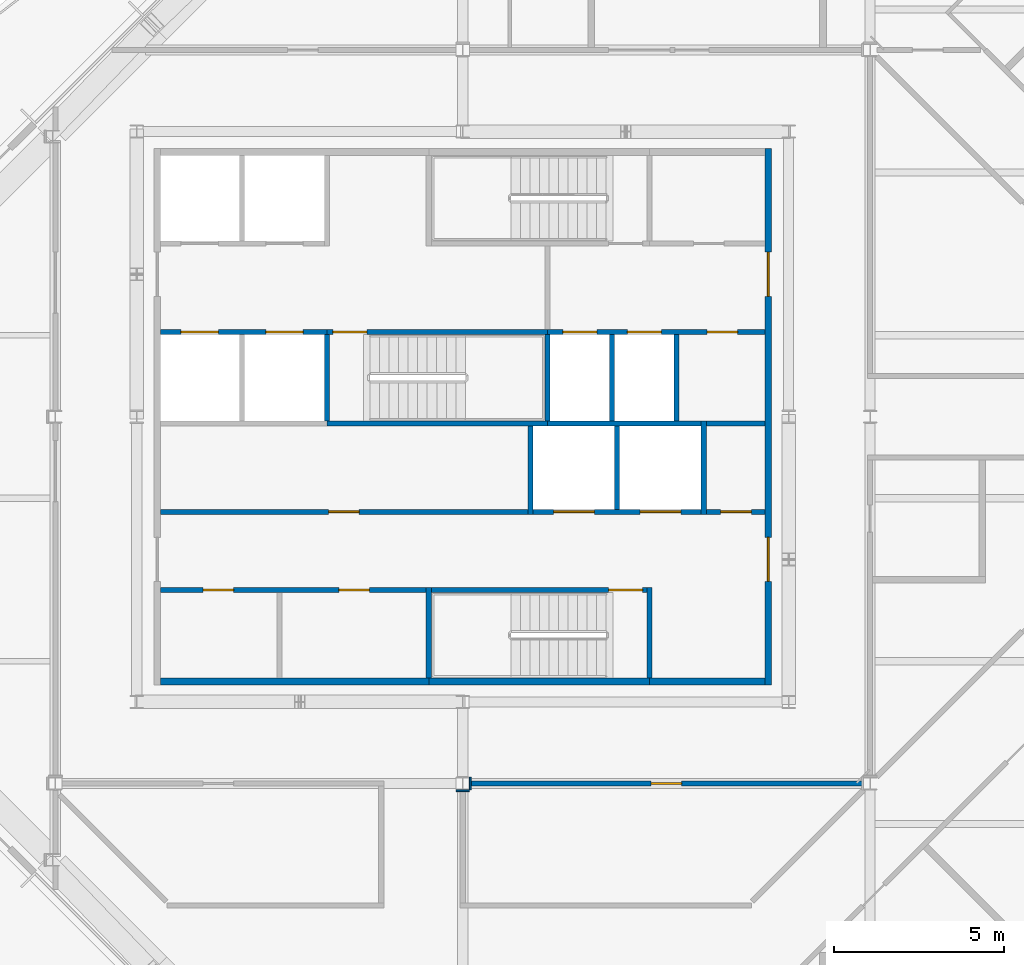
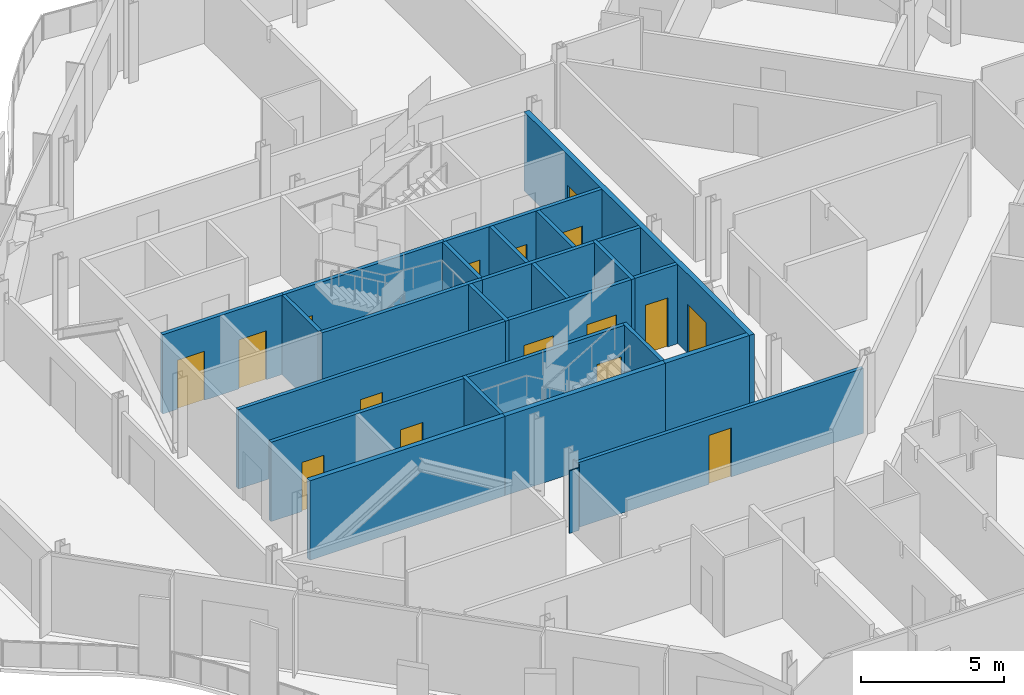
# One storey, part 8 of 17: 27 walls, 16 doors, 16 openings.
"""IFC4 building model written with IfcOpenShell, lengths in metres."""

from ifc_helpers import new_model, si_unit, direction, frame, frame_2d, origin, place, context, subcontext, project, spatial, rectangle, extrude, material, layer, layer_set, type_object, element, fill, save


model = new_model("IFC4")

# Units and contexts
model_context = context("Model", 3, precision=1e-05, world=origin(), true_north=direction((0.0, 1.0)))
body_context = subcontext(model_context, "Body", "Model", "MODEL_VIEW")
ifc_project = project(units=[si_unit("LENGTHUNIT", "METRE"), si_unit("AREAUNIT", "SQUARE_METRE"), si_unit("VOLUMEUNIT", "CUBIC_METRE"), si_unit("PLANEANGLEUNIT", "RADIAN"), si_unit("MASSUNIT", "GRAM", prefix="KILO")], contexts=[model_context])

# Site, building, storey
site_placement = place(None, origin())
site = spatial("IfcSite", under=ifc_project, at=site_placement, CompositionType="ELEMENT")
building_placement = place(site_placement, origin())
building = spatial("IfcBuilding", under=site, at=building_placement, Name="Cairn Pilgrim Tower", CompositionType="ELEMENT")
storey_placement = place(building_placement, frame((0.0, 0.0, 292.199951171875)))
storey = spatial("IfcBuildingStorey", under=building, at=storey_placement, Name="L75", CompositionType="ELEMENT", Elevation=292.199951171875)

# Walls
ifc_material_1 = material(Name="Concrete C32/40", Category="concrete")
ifc_layer_1 = layer(ifc_material_1, 0.199951171875)
ifc_layer_set_1 = layer_set([ifc_layer_1], Name="CORE OUTER WALL 200 EI 120")
wall_type_1 = type_object("IfcWallType", Name="CORE OUTER WALL 200 EI 120", PredefinedType="SOLIDWALL", material=ifc_layer_set_1)
wall_1_placement = place(storey_placement, frame((-1.699951171875, -5.39990234375, 0.0), z_axis=(0.0, 0.0, 1.0), x_axis=(1.0, 0.0, 0.0)))
element("IfcWall", 1, at=wall_1_placement, inside=storey, type_object=wall_type_1, Name="CW:L75:H01-1", PredefinedType="SOLIDWALL", context=body_context, shape_type="SweptSolid", body=[
    extrude(rectangle(XDim=7.89990234375, YDim=0.199951171875, at=frame_2d((3.949951171875, 0.0))), origin(), (0.0, 0.0, 1.0), 3.400146484375),
])
wall_2_placement = place(storey_placement, frame((12.699951171875, -5.39990234375, 0.0), z_axis=(0.0, 0.0, 1.0), x_axis=(1.0, 0.0, 0.0)))
element("IfcWall", 2, at=wall_2_placement, inside=storey, type_object=wall_type_1, Name="CW:L75:H01-3", PredefinedType="SOLIDWALL", context=body_context, shape_type="SweptSolid", body=[
    extrude(rectangle(XDim=3.400146484375, YDim=0.199951171875, at=frame_2d((1.7001953125, 0.0))), origin(), (0.0, 0.0, 1.0), 3.400146484375),
])

# Wall, openings, doors
wall_3_placement = place(storey_placement, frame((16.199951171875, -5.5, 0.0), z_axis=(0.0, 0.0, 1.0), x_axis=(0.0, 1.0, 0.0)))
wall_3 = element("IfcWall", 3, at=wall_3_placement, inside=storey, type_object=wall_type_1, Name="CW:L75:V30", PredefinedType="SOLIDWALL", context=body_context, shape_type="SweptSolid", body=[
    extrude(rectangle(XDim=15.800048828125, YDim=0.199951171875, at=frame_2d((7.89990234375, 0.0))), origin(), (0.0, 0.0, 1.0), 3.400146484375),
])
opening_1_placement = place(wall_3_placement, frame((3.050048828125, 0.0, 0.0)))
opening_1 = element("IfcOpeningElement", 4, at=opening_1_placement, cuts=wall_3, Name="Opening CD-E1", PredefinedType="OPENING", context=body_context, shape_type="SweptSolid", body=[
    extrude(rectangle(XDim=1.300048828125, YDim=2.10009765625, at=frame_2d((0.64990234375, 1.050048828125))), frame((0.0, 0.10986328125, 0.0), z_axis=(0.0, -1.0, 0.0), x_axis=(1.0, 0.0, 0.0)), (0.0, 0.0, 1.0), 0.219970703125),
])
opening_2_placement = place(wall_3_placement, frame((11.449951171875, 0.0, 0.0)))
opening_2 = element("IfcOpeningElement", 5, at=opening_2_placement, cuts=wall_3, Name="Opening CD-E2", PredefinedType="OPENING", context=body_context, shape_type="SweptSolid", body=[
    extrude(rectangle(XDim=1.300048828125, YDim=2.10009765625, at=frame_2d((0.64990234375, 1.050048828125))), frame((0.0, 0.10986328125, 0.0), z_axis=(0.0, -1.0, 0.0), x_axis=(1.0, 0.0, 0.0)), (0.0, 0.0, 1.0), 0.219970703125),
])
ifc_material_2 = material(Name="Painted steel", Category="steel")
door_type_1 = type_object("IfcDoorType", Name="CORE LOBBY DOOR 1300x2100", OperationType="DOUBLE_DOOR_SINGLE_SWING", PredefinedType="DOOR", material=ifc_material_2)
door_1_placement = place(opening_1_placement, origin())
door_1 = element("IfcDoor", 6, at=door_1_placement, inside=storey, type_object=door_type_1, Name="CD-E1", OperationType="DOUBLE_DOOR_SINGLE_SWING", OverallHeight=2.10009765625, OverallWidth=1.300048828125, PredefinedType="DOOR", context=body_context, shape_type="SweptSolid", body=[
    extrude(rectangle(XDim=1.300048828125, YDim=2.10009765625, at=frame_2d((0.64990234375, 1.050048828125))), frame((0.0, 0.02490234375, 0.0), z_axis=(0.0, -1.0, 0.0), x_axis=(1.0, 0.0, 0.0)), (0.0, 0.0, 1.0), 0.050048828125),
])
fill(opening_1, door_1)
door_2_placement = place(opening_2_placement, origin())
door_2 = element("IfcDoor", 7, at=door_2_placement, inside=storey, type_object=door_type_1, Name="CD-E2", OperationType="DOUBLE_DOOR_SINGLE_SWING", OverallHeight=2.10009765625, OverallWidth=1.300048828125, PredefinedType="DOOR", context=body_context, shape_type="SweptSolid", body=[
    extrude(rectangle(XDim=1.300048828125, YDim=2.10009765625, at=frame_2d((0.64990234375, 1.050048828125))), frame((0.0, 0.02490234375, 0.0), z_axis=(0.0, -1.0, 0.0), x_axis=(1.0, 0.0, 0.0)), (0.0, 0.0, 1.0), 0.050048828125),
])
fill(opening_2, door_2)

ifc_layer_2 = layer(ifc_material_1, 0.14990234375)
ifc_layer_set_2 = layer_set([ifc_layer_2], Name="CORE PARTITION 150 EI 60")
wall_type_2 = type_object("IfcWallType", Name="CORE PARTITION 150 EI 60", PredefinedType="PARTITIONING", material=ifc_layer_set_2)
wall_4_placement = place(storey_placement, frame((-1.699951171875, -2.699951171875, 0.0), z_axis=(0.0, 0.0, 1.0), x_axis=(1.0, 0.0, 0.0)))
wall_4 = element("IfcWall", 8, at=wall_4_placement, inside=storey, type_object=wall_type_2, Name="CW:L75:H02", PredefinedType="PARTITIONING", context=body_context, shape_type="SweptSolid", body=[
    extrude(rectangle(XDim=7.824951171875, YDim=0.14990234375, at=frame_2d((3.91259765625, 0.0))), origin(), (0.0, 0.0, 1.0), 3.400146484375),
])
opening_3_placement = place(wall_4_placement, frame((1.25, 0.0, 0.0)))
opening_3 = element("IfcOpeningElement", 9, at=opening_3_placement, cuts=wall_4, Name="Opening RD-R1W1", PredefinedType="OPENING", context=body_context, shape_type="SweptSolid", body=[
    extrude(rectangle(XDim=0.89990234375, YDim=2.10009765625, at=frame_2d((0.449951171875, 1.050048828125))), frame((0.0, 0.0849609375, 0.0), z_axis=(0.0, -1.0, 0.0), x_axis=(1.0, 0.0, 0.0)), (0.0, 0.0, 1.0), 0.169921875),
])
opening_4_placement = place(wall_4_placement, frame((5.25, 0.0, 0.0)))
opening_4 = element("IfcOpeningElement", 10, at=opening_4_placement, cuts=wall_4, Name="Opening RD-R1W2", PredefinedType="OPENING", context=body_context, shape_type="SweptSolid", body=[
    extrude(rectangle(XDim=0.89990234375, YDim=2.10009765625, at=frame_2d((0.449951171875, 1.050048828125))), frame((0.0, 0.0849609375, 0.0), z_axis=(0.0, -1.0, 0.0), x_axis=(1.0, 0.0, 0.0)), (0.0, 0.0, 1.0), 0.169921875),
])
door_type_2 = type_object("IfcDoorType", Name="SERVICE ROOM DOOR 900x2100", OperationType="SINGLE_SWING_LEFT", PredefinedType="DOOR", material=ifc_material_2)
door_3_placement = place(opening_3_placement, origin())
door_3 = element("IfcDoor", 11, at=door_3_placement, inside=storey, type_object=door_type_2, Name="RD-R1W1", OperationType="SINGLE_SWING_RIGHT", OverallHeight=2.10009765625, OverallWidth=0.89990234375, PredefinedType="DOOR", context=body_context, shape_type="SweptSolid", body=[
    extrude(rectangle(XDim=0.89990234375, YDim=2.10009765625, at=frame_2d((0.449951171875, 1.050048828125))), frame((0.0, 0.02490234375, 0.0), z_axis=(0.0, -1.0, 0.0), x_axis=(1.0, 0.0, 0.0)), (0.0, 0.0, 1.0), 0.050048828125),
])
fill(opening_3, door_3)
door_4_placement = place(opening_4_placement, origin())
door_4 = element("IfcDoor", 12, at=door_4_placement, inside=storey, type_object=door_type_2, Name="RD-R1W2", OperationType="SINGLE_SWING_LEFT", OverallHeight=2.10009765625, OverallWidth=0.89990234375, PredefinedType="DOOR", context=body_context, shape_type="SweptSolid", body=[
    extrude(rectangle(XDim=0.89990234375, YDim=2.10009765625, at=frame_2d((0.449951171875, 1.050048828125))), frame((0.0, 0.02490234375, 0.0), z_axis=(0.0, -1.0, 0.0), x_axis=(1.0, 0.0, 0.0)), (0.0, 0.0, 1.0), 0.050048828125),
])
fill(opening_4, door_4)

# Wall, opening, door
wall_5_placement = place(storey_placement, frame((-1.699951171875, -0.39990234375, 0.0), z_axis=(0.0, 0.0, 1.0), x_axis=(1.0, 0.0, 0.0)))
wall_5 = element("IfcWall", 13, at=wall_5_placement, inside=storey, type_object=wall_type_2, Name="CW:L75:H04", PredefinedType="PARTITIONING", context=body_context, shape_type="SweptSolid", body=[
    extrude(rectangle(XDim=10.824951171875, YDim=0.14990234375, at=frame_2d((5.41259765625, 0.0))), origin(), (0.0, 0.0, 1.0), 3.400146484375),
])
opening_5_placement = place(wall_5_placement, frame((4.949951171875, 0.0, 0.0)))
opening_5 = element("IfcOpeningElement", 14, at=opening_5_placement, cuts=wall_5, Name="Opening RD-R2W1", PredefinedType="OPENING", context=body_context, shape_type="SweptSolid", body=[
    extrude(rectangle(XDim=0.89990234375, YDim=2.10009765625, at=frame_2d((0.449951171875, 1.050048828125))), frame((0.0, 0.0849609375, 0.0), z_axis=(0.0, -1.0, 0.0), x_axis=(1.0, 0.0, 0.0)), (0.0, 0.0, 1.0), 0.169921875),
])
door_5_placement = place(opening_5_placement, origin())
door_5 = element("IfcDoor", 15, at=door_5_placement, inside=storey, type_object=door_type_2, Name="RD-R2W1", OperationType="SINGLE_SWING_RIGHT", OverallHeight=2.10009765625, OverallWidth=0.89990234375, PredefinedType="DOOR", context=body_context, shape_type="SweptSolid", body=[
    extrude(rectangle(XDim=0.89990234375, YDim=2.10009765625, at=frame_2d((0.449951171875, 1.050048828125))), frame((0.0, 0.02490234375, 0.0), z_axis=(0.0, -1.0, 0.0), x_axis=(1.0, 0.0, 0.0)), (0.0, 0.0, 1.0), 0.050048828125),
])
fill(opening_5, door_5)

wall_6_placement = place(storey_placement, frame((14.375, -0.39990234375, 0.0), z_axis=(0.0, 0.0, 1.0), x_axis=(1.0, 0.0, 0.0)))
wall_6 = element("IfcWall", 16, at=wall_6_placement, inside=storey, type_object=wall_type_2, Name="CW:L75:H06", PredefinedType="PARTITIONING", context=body_context, shape_type="SweptSolid", body=[
    extrude(rectangle(XDim=1.72509765625, YDim=0.14990234375, at=frame_2d((0.862548828125, 0.0))), origin(), (0.0, 0.0, 1.0), 3.400146484375),
])
opening_6_placement = place(wall_6_placement, frame((0.425048828125, 0.0, 0.0)))
opening_6 = element("IfcOpeningElement", 17, at=opening_6_placement, cuts=wall_6, Name="Opening RD-R2E", PredefinedType="OPENING", context=body_context, shape_type="SweptSolid", body=[
    extrude(rectangle(XDim=0.89990234375, YDim=2.10009765625, at=frame_2d((0.449951171875, 1.050048828125))), frame((0.0, 0.0849609375, 0.0), z_axis=(0.0, -1.0, 0.0), x_axis=(1.0, 0.0, 0.0)), (0.0, 0.0, 1.0), 0.169921875),
])
door_6_placement = place(opening_6_placement, origin())
door_6 = element("IfcDoor", 18, at=door_6_placement, inside=storey, type_object=door_type_2, Name="RD-R2E", OperationType="SINGLE_SWING_LEFT", OverallHeight=2.10009765625, OverallWidth=0.89990234375, PredefinedType="DOOR", context=body_context, shape_type="SweptSolid", body=[
    extrude(rectangle(XDim=0.89990234375, YDim=2.10009765625, at=frame_2d((0.449951171875, 1.050048828125))), frame((0.0, 0.02490234375, 0.0), z_axis=(0.0, -1.0, 0.0), x_axis=(1.0, 0.0, 0.0)), (0.0, 0.0, 1.0), 0.050048828125),
])
fill(opening_6, door_6)

# Wall
wall_7_placement = place(storey_placement, frame((14.375, 2.199951171875, 0.0), z_axis=(0.0, 0.0, 1.0), x_axis=(1.0, 0.0, 0.0)))
element("IfcWall", 19, at=wall_7_placement, inside=storey, type_object=wall_type_2, Name="CW:L75:H08", PredefinedType="PARTITIONING", context=body_context, shape_type="SweptSolid", body=[
    extrude(rectangle(XDim=1.72509765625, YDim=0.14990234375, at=frame_2d((0.862548828125, 0.0))), origin(), (0.0, 0.0, 1.0), 3.400146484375),
])

# Wall, openings, doors
ifc_layer_3 = layer(ifc_material_1, 0.14990234375)
ifc_layer_set_3 = layer_set([ifc_layer_3], Name="CORE SHAFT WALL 150 EI 120")
wall_type_3 = type_object("IfcWallType", Name="CORE SHAFT WALL 150 EI 120", PredefinedType="SOLIDWALL", material=ifc_layer_set_3)
wall_8_placement = place(storey_placement, frame((9.27490234375, -0.39990234375, 0.0), z_axis=(0.0, 0.0, 1.0), x_axis=(1.0, 0.0, 0.0)))
wall_8 = element("IfcWall", 20, at=wall_8_placement, inside=storey, type_object=wall_type_3, Name="CW:L75:H05", PredefinedType="SOLIDWALL", context=body_context, shape_type="SweptSolid", body=[
    extrude(rectangle(XDim=4.9501953125, YDim=0.14990234375, at=frame_2d((2.47509765625, 0.0))), origin(), (0.0, 0.0, 1.0), 3.400146484375),
])
opening_7_placement = place(wall_8_placement, frame((0.60009765625, 0.0, 0.0)))
opening_7 = element("IfcOpeningElement", 21, at=opening_7_placement, cuts=wall_8, Name="Opening LD-SV1", PredefinedType="OPENING", context=body_context, shape_type="SweptSolid", body=[
    extrude(rectangle(XDim=1.199951171875, YDim=2.10009765625, at=frame_2d((0.60009765625, 1.050048828125))), frame((0.0, 0.0849609375, 0.0), z_axis=(0.0, -1.0, 0.0), x_axis=(1.0, 0.0, 0.0)), (0.0, 0.0, 1.0), 0.169921875),
])
opening_8_placement = place(wall_8_placement, frame((3.14990234375, 0.0, 0.0)))
opening_8 = element("IfcOpeningElement", 22, at=opening_8_placement, cuts=wall_8, Name="Opening LD-SV2", PredefinedType="OPENING", context=body_context, shape_type="SweptSolid", body=[
    extrude(rectangle(XDim=1.199951171875, YDim=2.10009765625, at=frame_2d((0.60009765625, 1.050048828125))), frame((0.0, 0.0849609375, 0.0), z_axis=(0.0, -1.0, 0.0), x_axis=(1.0, 0.0, 0.0)), (0.0, 0.0, 1.0), 0.169921875),
])
ifc_material_3 = material(Name="Stainless steel", Category="steel")
door_type_3 = type_object("IfcDoorType", Name="LIFT LANDING DOOR 1200x2100", OperationType="DOUBLE_DOOR_SLIDING", PredefinedType="DOOR", material=ifc_material_3)
door_7_placement = place(opening_7_placement, origin())
door_7 = element("IfcDoor", 23, at=door_7_placement, inside=storey, type_object=door_type_3, Name="LANDING DOOR SV1", OperationType="DOUBLE_DOOR_SLIDING", OverallHeight=2.10009765625, OverallWidth=1.199951171875, PredefinedType="DOOR", context=body_context, shape_type="SweptSolid", body=[
    extrude(rectangle(XDim=1.199951171875, YDim=2.10009765625, at=frame_2d((0.60009765625, 1.050048828125))), frame((0.0, 0.02490234375, 0.0), z_axis=(0.0, -1.0, 0.0), x_axis=(1.0, 0.0, 0.0)), (0.0, 0.0, 1.0), 0.050048828125),
])
fill(opening_7, door_7)
door_8_placement = place(opening_8_placement, origin())
door_8 = element("IfcDoor", 24, at=door_8_placement, inside=storey, type_object=door_type_3, Name="LANDING DOOR SV2", OperationType="DOUBLE_DOOR_SLIDING", OverallHeight=2.10009765625, OverallWidth=1.199951171875, PredefinedType="DOOR", context=body_context, shape_type="SweptSolid", body=[
    extrude(rectangle(XDim=1.199951171875, YDim=2.10009765625, at=frame_2d((0.60009765625, 1.050048828125))), frame((0.0, 0.02490234375, 0.0), z_axis=(0.0, -1.0, 0.0), x_axis=(1.0, 0.0, 0.0)), (0.0, 0.0, 1.0), 0.050048828125),
])
fill(opening_8, door_8)

# Wall
wall_9_placement = place(storey_placement, frame((9.699951171875, 2.199951171875, 0.0), z_axis=(0.0, 0.0, 1.0), x_axis=(1.0, 0.0, 0.0)))
element("IfcWall", 25, at=wall_9_placement, inside=storey, type_object=wall_type_3, Name="CW:L75:H07-3", PredefinedType="SOLIDWALL", context=body_context, shape_type="SweptSolid", body=[
    extrude(rectangle(XDim=4.525146484375, YDim=0.14990234375, at=frame_2d((2.2626953125, 0.0))), origin(), (0.0, 0.0, 1.0), 3.400146484375),
])

# Wall, openings, doors
wall_10_placement = place(storey_placement, frame((-1.699951171875, 4.89990234375, 0.0), z_axis=(0.0, 0.0, 1.0), x_axis=(1.0, 0.0, 0.0)))
wall_10 = element("IfcWall", 26, at=wall_10_placement, inside=storey, type_object=wall_type_3, Name="CW:L75:H09-1", PredefinedType="SOLIDWALL", context=body_context, shape_type="SweptSolid", body=[
    extrude(rectangle(XDim=4.89990234375, YDim=0.14990234375, at=frame_2d((2.449951171875, 0.0))), origin(), (0.0, 0.0, 1.0), 3.400146484375),
])
opening_9_placement = place(wall_10_placement, frame((0.60009765625, 0.0, 0.0)))
opening_9 = element("IfcOpeningElement", 27, at=opening_9_placement, cuts=wall_10, Name="Opening LD-HR1", PredefinedType="OPENING", context=body_context, shape_type="SweptSolid", body=[
    extrude(rectangle(XDim=1.10009765625, YDim=2.10009765625, at=frame_2d((0.550048828125, 1.050048828125))), frame((0.0, 0.0849609375, 0.0), z_axis=(0.0, -1.0, 0.0), x_axis=(1.0, 0.0, 0.0)), (0.0, 0.0, 1.0), 0.169921875),
])
opening_10_placement = place(wall_10_placement, frame((3.10009765625, 0.0, 0.0)))
opening_10 = element("IfcOpeningElement", 28, at=opening_10_placement, cuts=wall_10, Name="Opening LD-HR2", PredefinedType="OPENING", context=body_context, shape_type="SweptSolid", body=[
    extrude(rectangle(XDim=1.10009765625, YDim=2.10009765625, at=frame_2d((0.550048828125, 1.050048828125))), frame((0.0, 0.0849609375, 0.0), z_axis=(0.0, -1.0, 0.0), x_axis=(1.0, 0.0, 0.0)), (0.0, 0.0, 1.0), 0.169921875),
])
door_type_4 = type_object("IfcDoorType", Name="LIFT LANDING DOOR 1100x2100", OperationType="DOUBLE_DOOR_SLIDING", PredefinedType="DOOR", material=ifc_material_3)
door_9_placement = place(opening_9_placement, origin())
door_9 = element("IfcDoor", 29, at=door_9_placement, inside=storey, type_object=door_type_4, Name="LANDING DOOR HR1", OperationType="DOUBLE_DOOR_SLIDING", OverallHeight=2.10009765625, OverallWidth=1.10009765625, PredefinedType="DOOR", context=body_context, shape_type="SweptSolid", body=[
    extrude(rectangle(XDim=1.10009765625, YDim=2.10009765625, at=frame_2d((0.550048828125, 1.050048828125))), frame((0.0, 0.02490234375, 0.0), z_axis=(0.0, -1.0, 0.0), x_axis=(1.0, 0.0, 0.0)), (0.0, 0.0, 1.0), 0.050048828125),
])
fill(opening_9, door_9)
door_10_placement = place(opening_10_placement, origin())
door_10 = element("IfcDoor", 30, at=door_10_placement, inside=storey, type_object=door_type_4, Name="LANDING DOOR HR2", OperationType="DOUBLE_DOOR_SLIDING", OverallHeight=2.10009765625, OverallWidth=1.10009765625, PredefinedType="DOOR", context=body_context, shape_type="SweptSolid", body=[
    extrude(rectangle(XDim=1.10009765625, YDim=2.10009765625, at=frame_2d((0.550048828125, 1.050048828125))), frame((0.0, 0.02490234375, 0.0), z_axis=(0.0, -1.0, 0.0), x_axis=(1.0, 0.0, 0.0)), (0.0, 0.0, 1.0), 0.050048828125),
])
fill(opening_10, door_10)

wall_11_placement = place(storey_placement, frame((9.699951171875, 4.89990234375, 0.0), z_axis=(0.0, 0.0, 1.0), x_axis=(1.0, 0.0, 0.0)))
wall_11 = element("IfcWall", 31, at=wall_11_placement, inside=storey, type_object=wall_type_3, Name="CW:L75:H09-3", PredefinedType="SOLIDWALL", context=body_context, shape_type="SweptSolid", body=[
    extrude(rectangle(XDim=6.400146484375, YDim=0.14990234375, at=frame_2d((3.2001953125, 0.0))), origin(), (0.0, 0.0, 1.0), 3.400146484375),
])
opening_11_placement = place(wall_11_placement, frame((0.449951171875, 0.0, 0.0)))
opening_11 = element("IfcOpeningElement", 32, at=opening_11_placement, cuts=wall_11, Name="Opening LD-FF1", PredefinedType="OPENING", context=body_context, shape_type="SweptSolid", body=[
    extrude(rectangle(XDim=1.0, YDim=2.10009765625, at=frame_2d((0.5, 1.050048828125))), frame((0.0, 0.0849609375, 0.0), z_axis=(0.0, -1.0, 0.0), x_axis=(1.0, 0.0, 0.0)), (0.0, 0.0, 1.0), 0.169921875),
])
opening_12_placement = place(wall_11_placement, frame((2.35009765625, 0.0, 0.0)))
opening_12 = element("IfcOpeningElement", 33, at=opening_12_placement, cuts=wall_11, Name="Opening LD-FF2", PredefinedType="OPENING", context=body_context, shape_type="SweptSolid", body=[
    extrude(rectangle(XDim=1.0, YDim=2.10009765625, at=frame_2d((0.5, 1.050048828125))), frame((0.0, 0.0849609375, 0.0), z_axis=(0.0, -1.0, 0.0), x_axis=(1.0, 0.0, 0.0)), (0.0, 0.0, 1.0), 0.169921875),
])
opening_13_placement = place(wall_11_placement, frame((4.699951171875, 0.0, 0.0)))
opening_13 = element("IfcOpeningElement", 34, at=opening_13_placement, cuts=wall_11, Name="Opening RD-R3E", PredefinedType="OPENING", context=body_context, shape_type="SweptSolid", body=[
    extrude(rectangle(XDim=0.89990234375, YDim=2.10009765625, at=frame_2d((0.449951171875, 1.050048828125))), frame((0.0, 0.0849609375, 0.0), z_axis=(0.0, -1.0, 0.0), x_axis=(1.0, 0.0, 0.0)), (0.0, 0.0, 1.0), 0.169921875),
])
door_type_5 = type_object("IfcDoorType", Name="LIFT LANDING DOOR FIRE 1000x2100", OperationType="DOUBLE_DOOR_SLIDING", PredefinedType="DOOR", material=ifc_material_3)
door_11_placement = place(opening_11_placement, origin())
door_11 = element("IfcDoor", 35, at=door_11_placement, inside=storey, type_object=door_type_5, Name="LANDING DOOR FF1", OperationType="DOUBLE_DOOR_SLIDING", OverallHeight=2.10009765625, OverallWidth=1.0, PredefinedType="DOOR", context=body_context, shape_type="SweptSolid", body=[
    extrude(rectangle(XDim=1.0, YDim=2.10009765625, at=frame_2d((0.5, 1.050048828125))), frame((0.0, 0.02490234375, 0.0), z_axis=(0.0, -1.0, 0.0), x_axis=(1.0, 0.0, 0.0)), (0.0, 0.0, 1.0), 0.050048828125),
])
fill(opening_11, door_11)
door_12_placement = place(opening_12_placement, origin())
door_12 = element("IfcDoor", 36, at=door_12_placement, inside=storey, type_object=door_type_5, Name="LANDING DOOR FF2", OperationType="DOUBLE_DOOR_SLIDING", OverallHeight=2.10009765625, OverallWidth=1.0, PredefinedType="DOOR", context=body_context, shape_type="SweptSolid", body=[
    extrude(rectangle(XDim=1.0, YDim=2.10009765625, at=frame_2d((0.5, 1.050048828125))), frame((0.0, 0.02490234375, 0.0), z_axis=(0.0, -1.0, 0.0), x_axis=(1.0, 0.0, 0.0)), (0.0, 0.0, 1.0), 0.050048828125),
])
fill(opening_12, door_12)
door_13_placement = place(opening_13_placement, origin())
door_13 = element("IfcDoor", 37, at=door_13_placement, inside=storey, type_object=door_type_2, Name="RD-R3E", OperationType="SINGLE_SWING_RIGHT", OverallHeight=2.10009765625, OverallWidth=0.89990234375, PredefinedType="DOOR", context=body_context, shape_type="SweptSolid", body=[
    extrude(rectangle(XDim=0.89990234375, YDim=2.10009765625, at=frame_2d((0.449951171875, 1.050048828125))), frame((0.0, 0.02490234375, 0.0), z_axis=(0.0, -1.0, 0.0), x_axis=(1.0, 0.0, 0.0)), (0.0, 0.0, 1.0), 0.050048828125),
])
fill(opening_13, door_13)

# Walls
wall_12_placement = place(storey_placement, frame((9.199951171875, -0.47509765625, 0.0), z_axis=(0.0, 0.0, 1.0), x_axis=(0.0, 1.0, 0.0)))
element("IfcWall", 38, at=wall_12_placement, inside=storey, type_object=wall_type_3, Name="CW:L75:V21", PredefinedType="SOLIDWALL", context=body_context, shape_type="SweptSolid", body=[
    extrude(rectangle(XDim=2.60009765625, YDim=0.14990234375, at=frame_2d((1.300048828125, 0.0))), origin(), (0.0, 0.0, 1.0), 3.400146484375),
])
wall_13_placement = place(storey_placement, frame((11.60009765625, 2.27490234375, 0.0), z_axis=(0.0, 0.0, 1.0), x_axis=(0.0, 1.0, 0.0)))
element("IfcWall", 39, at=wall_13_placement, inside=storey, type_object=wall_type_3, Name="CW:L75:V24", PredefinedType="SOLIDWALL", context=body_context, shape_type="SweptSolid", body=[
    extrude(rectangle(XDim=2.550048828125, YDim=0.14990234375, at=frame_2d((1.27490234375, 0.0))), origin(), (0.0, 0.0, 1.0), 3.400146484375),
])
wall_14_placement = place(storey_placement, frame((11.75, -0.324951171875, 0.0), z_axis=(0.0, 0.0, 1.0), x_axis=(0.0, 1.0, 0.0)))
element("IfcWall", 40, at=wall_14_placement, inside=storey, type_object=wall_type_3, Name="CW:L75:V25", PredefinedType="SOLIDWALL", context=body_context, shape_type="SweptSolid", body=[
    extrude(rectangle(XDim=2.449951171875, YDim=0.14990234375, at=frame_2d((1.22509765625, 0.0))), origin(), (0.0, 0.0, 1.0), 3.400146484375),
])
wall_15_placement = place(storey_placement, frame((13.5, 2.27490234375, 0.0), z_axis=(0.0, 0.0, 1.0), x_axis=(0.0, 1.0, 0.0)))
element("IfcWall", 41, at=wall_15_placement, inside=storey, type_object=wall_type_3, Name="CW:L75:V28", PredefinedType="SOLIDWALL", context=body_context, shape_type="SweptSolid", body=[
    extrude(rectangle(XDim=2.550048828125, YDim=0.14990234375, at=frame_2d((1.27490234375, 0.0))), origin(), (0.0, 0.0, 1.0), 3.400146484375),
])
wall_16_placement = place(storey_placement, frame((14.300048828125, -0.47509765625, 0.0), z_axis=(0.0, 0.0, 1.0), x_axis=(0.0, 1.0, 0.0)))
element("IfcWall", 42, at=wall_16_placement, inside=storey, type_object=wall_type_3, Name="CW:L75:V29", PredefinedType="SOLIDWALL", context=body_context, shape_type="SweptSolid", body=[
    extrude(rectangle(XDim=2.75, YDim=0.14990234375, at=frame_2d((1.375, 0.0))), origin(), (0.0, 0.0, 1.0), 3.400146484375),
])

# Wall, opening, door
ifc_material_4 = material(Name="Gypsum partition")
ifc_layer_4 = layer(ifc_material_4, 0.14990234375)
ifc_layer_set_4 = layer_set([ifc_layer_4], Name="PARTITION 150 DRYWALL EI 60")
wall_type_4 = type_object("IfcWallType", Name="PARTITION 150 DRYWALL EI 60", PredefinedType="PARTITIONING", material=ifc_layer_set_4)
wall_17_placement = place(storey_placement, frame((7.39697265625, -8.39990234375, 0.0), z_axis=(0.0, 0.0, 1.0), x_axis=(1.0, 0.0, 0.0)))
wall_17 = element("IfcWall", 43, at=wall_17_placement, inside=storey, type_object=wall_type_4, Name="PARTITION W027", PredefinedType="PARTITIONING", context=body_context, shape_type="SweptSolid", body=[
    extrude(rectangle(XDim=11.60595703125, YDim=0.14990234375, at=frame_2d((5.802978515625, 0.0))), origin(), (0.0, 0.0, 1.0), 2.780029296875),
])
opening_14_placement = place(wall_17_placement, frame((5.35302734375, 0.0, 0.0)))
opening_14 = element("IfcOpeningElement", 44, at=opening_14_placement, cuts=wall_17, Name="Opening 7516", PredefinedType="OPENING", context=body_context, shape_type="SweptSolid", body=[
    extrude(rectangle(XDim=0.89990234375, YDim=2.10009765625, at=frame_2d((0.449951171875, 1.050048828125))), frame((0.0, 0.0849609375, 0.0), z_axis=(0.0, -1.0, 0.0), x_axis=(1.0, 0.0, 0.0)), (0.0, 0.0, 1.0), 0.169921875),
])
ifc_material_5 = material(Name="Timber door leaf", Category="wood")
door_type_6 = type_object("IfcDoorType", Name="SERVICE DOOR 900x2100 FD30S", OperationType="NOTDEFINED", PredefinedType="DOOR", material=ifc_material_5)
door_14_placement = place(opening_14_placement, frame((0.89990234375, 0.0, 0.0), z_axis=(0.0, 0.0, 1.0), x_axis=(-1.0, 0.0, 0.0)))
door_14 = element("IfcDoor", 45, at=door_14_placement, inside=storey, type_object=door_type_6, Name="DOOR 7516", OperationType="SINGLE_SWING_RIGHT", OverallHeight=2.10009765625, OverallWidth=0.89990234375, PredefinedType="DOOR", context=body_context, shape_type="SweptSolid", body=[
    extrude(rectangle(XDim=0.89990234375, YDim=2.10009765625, at=frame_2d((0.449951171875, 1.050048828125))), frame((0.0, 0.02490234375, 0.0), z_axis=(0.0, -1.0, 0.0), x_axis=(1.0, 0.0, 0.0)), (0.0, 0.0, 1.0), 0.050048828125),
])
fill(opening_14, door_14)

# Walls
ifc_layer_5 = layer(ifc_material_4, 0.050048828125)
ifc_layer_set_5 = layer_set([ifc_layer_5], Name="PARTITION 50 DRYWALL EI 60")
wall_type_5 = type_object("IfcWallType", Name="PARTITION 50 DRYWALL EI 60", PredefinedType="PARTITIONING", material=ifc_layer_set_5)
wall_18_placement = place(storey_placement, frame((7.422119140625, -8.58740234375, 0.0), z_axis=(0.0, 0.0, 1.0), x_axis=(0.0, 1.0, 0.0)))
element("IfcWall", 46, at=wall_18_placement, inside=storey, type_object=wall_type_5, Name="COLUMN CASING WC04", PredefinedType="PARTITIONING", context=body_context, shape_type="SweptSolid", body=[
    extrude(rectangle(XDim=0.375, YDim=0.050048828125, at=frame_2d((0.1875, 0.0))), origin(), (0.0, 0.0, 1.0), 2.780029296875),
])
wall_19_placement = place(storey_placement, frame((7.0029296875, -8.612548828125, 0.0), z_axis=(0.0, 0.0, 1.0), x_axis=(1.0, 0.0, 0.0)))
element("IfcWall", 47, at=wall_19_placement, inside=storey, type_object=wall_type_5, Name="COLUMN CASING WC12", PredefinedType="PARTITIONING", context=body_context, shape_type="SweptSolid", body=[
    extrude(rectangle(XDim=0.39404296875, YDim=0.050048828125, at=frame_2d((0.197021484375, 0.0))), origin(), (0.0, 0.0, 1.0), 2.679931640625),
])

# Wall, opening, door
ifc_material_6 = material(Name="Concrete C35/45", Category="concrete")
ifc_layer_6 = layer(ifc_material_6, 0.14990234375)
ifc_layer_set_6 = layer_set([ifc_layer_6], Name="STAIR SHAFT WALL 150 EI 120")
wall_type_6 = type_object("IfcWallType", Name="STAIR SHAFT WALL 150 EI 120", PredefinedType="SOLIDWALL", material=ifc_layer_set_6)
wall_20_placement = place(storey_placement, frame((6.27490234375, -2.699951171875, 0.0), z_axis=(0.0, 0.0, 1.0), x_axis=(1.0, 0.0, 0.0)))
wall_20 = element("IfcWall", 48, at=wall_20_placement, inside=storey, type_object=wall_type_6, Name="CW:L75:H03", PredefinedType="SOLIDWALL", context=body_context, shape_type="SweptSolid", body=[
    extrude(rectangle(XDim=6.35009765625, YDim=0.14990234375, at=frame_2d((3.175048828125, 0.0))), origin(), (0.0, 0.0, 1.0), 3.400146484375),
])
opening_15_placement = place(wall_20_placement, frame((5.22509765625, 0.0, 0.0)))
opening_15 = element("IfcOpeningElement", 49, at=opening_15_placement, cuts=wall_20, Name="Opening SD-A", PredefinedType="OPENING", context=body_context, shape_type="SweptSolid", body=[
    extrude(rectangle(XDim=1.0, YDim=2.10009765625, at=frame_2d((0.5, 1.050048828125))), frame((0.0, 0.0849609375, 0.0), z_axis=(0.0, -1.0, 0.0), x_axis=(1.0, 0.0, 0.0)), (0.0, 0.0, 1.0), 0.169921875),
])
door_type_7 = type_object("IfcDoorType", Name="STAIR DOOR FD60S 1000x2100", OperationType="SINGLE_SWING_LEFT", PredefinedType="DOOR", material=ifc_material_2)
door_15_placement = place(opening_15_placement, origin())
door_15 = element("IfcDoor", 50, at=door_15_placement, inside=storey, type_object=door_type_7, Name="SD-A", OperationType="SINGLE_SWING_RIGHT", OverallHeight=2.10009765625, OverallWidth=1.0, PredefinedType="DOOR", context=body_context, shape_type="SweptSolid", body=[
    extrude(rectangle(XDim=1.0, YDim=2.10009765625, at=frame_2d((0.5, 1.050048828125))), frame((0.0, 0.02490234375, 0.0), z_axis=(0.0, -1.0, 0.0), x_axis=(1.0, 0.0, 0.0)), (0.0, 0.0, 1.0), 0.050048828125),
])
fill(opening_15, door_15)

# Wall
wall_21_placement = place(storey_placement, frame((3.199951171875, 2.199951171875, 0.0), z_axis=(0.0, 0.0, 1.0), x_axis=(1.0, 0.0, 0.0)))
element("IfcWall", 51, at=wall_21_placement, inside=storey, type_object=wall_type_6, Name="CW:L75:H07-2", PredefinedType="SOLIDWALL", context=body_context, shape_type="SweptSolid", body=[
    extrude(rectangle(XDim=6.5, YDim=0.14990234375, at=frame_2d((3.25, 0.0))), origin(), (0.0, 0.0, 1.0), 3.400146484375),
])

# Wall, opening, door
wall_22_placement = place(storey_placement, frame((3.199951171875, 4.89990234375, 0.0), z_axis=(0.0, 0.0, 1.0), x_axis=(1.0, 0.0, 0.0)))
wall_22 = element("IfcWall", 52, at=wall_22_placement, inside=storey, type_object=wall_type_6, Name="CW:L75:H09-2", PredefinedType="SOLIDWALL", context=body_context, shape_type="SweptSolid", body=[
    extrude(rectangle(XDim=6.5, YDim=0.14990234375, at=frame_2d((3.25, 0.0))), origin(), (0.0, 0.0, 1.0), 3.400146484375),
])
opening_16_placement = place(wall_22_placement, frame((0.175048828125, 0.0, 0.0)))
opening_16 = element("IfcOpeningElement", 53, at=opening_16_placement, cuts=wall_22, Name="Opening SD-B", PredefinedType="OPENING", context=body_context, shape_type="SweptSolid", body=[
    extrude(rectangle(XDim=1.0, YDim=2.10009765625, at=frame_2d((0.5, 1.050048828125))), frame((0.0, 0.0849609375, 0.0), z_axis=(0.0, -1.0, 0.0), x_axis=(1.0, 0.0, 0.0)), (0.0, 0.0, 1.0), 0.169921875),
])
door_16_placement = place(opening_16_placement, origin())
door_16 = element("IfcDoor", 54, at=door_16_placement, inside=storey, type_object=door_type_7, Name="SD-B", OperationType="SINGLE_SWING_LEFT", OverallHeight=2.10009765625, OverallWidth=1.0, PredefinedType="DOOR", context=body_context, shape_type="SweptSolid", body=[
    extrude(rectangle(XDim=1.0, YDim=2.10009765625, at=frame_2d((0.5, 1.050048828125))), frame((0.0, 0.02490234375, 0.0), z_axis=(0.0, -1.0, 0.0), x_axis=(1.0, 0.0, 0.0)), (0.0, 0.0, 1.0), 0.050048828125),
])
fill(opening_16, door_16)

# Walls
wall_23_placement = place(storey_placement, frame((3.199951171875, 2.27490234375, 0.0), z_axis=(0.0, 0.0, 1.0), x_axis=(0.0, 1.0, 0.0)))
element("IfcWall", 55, at=wall_23_placement, inside=storey, type_object=wall_type_6, Name="CW:L75:V17", PredefinedType="SOLIDWALL", context=body_context, shape_type="SweptSolid", body=[
    extrude(rectangle(XDim=2.550048828125, YDim=0.14990234375, at=frame_2d((1.27490234375, 0.0))), origin(), (0.0, 0.0, 1.0), 3.400146484375),
])
wall_24_placement = place(storey_placement, frame((6.199951171875, -5.300048828125, 0.0), z_axis=(0.0, 0.0, 1.0), x_axis=(0.0, 1.0, 0.0)))
element("IfcWall", 56, at=wall_24_placement, inside=storey, type_object=wall_type_6, Name="CW:L75:V19", PredefinedType="SOLIDWALL", context=body_context, shape_type="SweptSolid", body=[
    extrude(rectangle(XDim=2.675048828125, YDim=0.14990234375, at=frame_2d((1.33740234375, 0.0))), origin(), (0.0, 0.0, 1.0), 3.400146484375),
])
wall_25_placement = place(storey_placement, frame((9.699951171875, 2.27490234375, 0.0), z_axis=(0.0, 0.0, 1.0), x_axis=(0.0, 1.0, 0.0)))
element("IfcWall", 57, at=wall_25_placement, inside=storey, type_object=wall_type_6, Name="CW:L75:V22", PredefinedType="SOLIDWALL", context=body_context, shape_type="SweptSolid", body=[
    extrude(rectangle(XDim=2.550048828125, YDim=0.14990234375, at=frame_2d((1.27490234375, 0.0))), origin(), (0.0, 0.0, 1.0), 3.400146484375),
])
wall_26_placement = place(storey_placement, frame((12.699951171875, -5.300048828125, 0.0), z_axis=(0.0, 0.0, 1.0), x_axis=(0.0, 1.0, 0.0)))
element("IfcWall", 58, at=wall_26_placement, inside=storey, type_object=wall_type_6, Name="CW:L75:V26", PredefinedType="SOLIDWALL", context=body_context, shape_type="SweptSolid", body=[
    extrude(rectangle(XDim=2.675048828125, YDim=0.14990234375, at=frame_2d((1.33740234375, 0.0))), origin(), (0.0, 0.0, 1.0), 3.400146484375),
])
ifc_layer_7 = layer(ifc_material_6, 0.199951171875)
ifc_layer_set_7 = layer_set([ifc_layer_7], Name="STAIR SHAFT WALL 200 EI 120")
wall_type_7 = type_object("IfcWallType", Name="STAIR SHAFT WALL 200 EI 120", PredefinedType="SOLIDWALL", material=ifc_layer_set_7)
wall_27_placement = place(storey_placement, frame((6.199951171875, -5.39990234375, 0.0), z_axis=(0.0, 0.0, 1.0), x_axis=(1.0, 0.0, 0.0)))
element("IfcWall", 59, at=wall_27_placement, inside=storey, type_object=wall_type_7, Name="CW:L75:H01-2", PredefinedType="SOLIDWALL", context=body_context, shape_type="SweptSolid", body=[
    extrude(rectangle(XDim=6.5, YDim=0.199951171875, at=frame_2d((3.25, 0.0))), origin(), (0.0, 0.0, 1.0), 3.400146484375),
])

save(model, "model.ifc")
